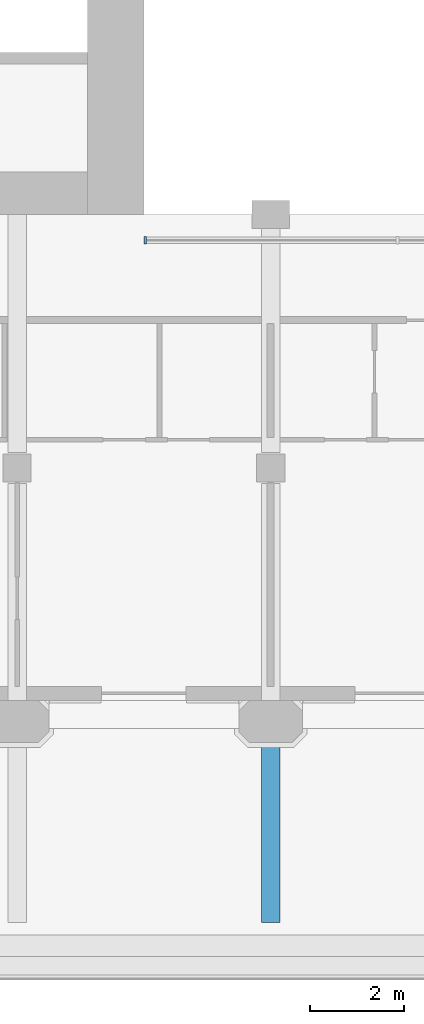
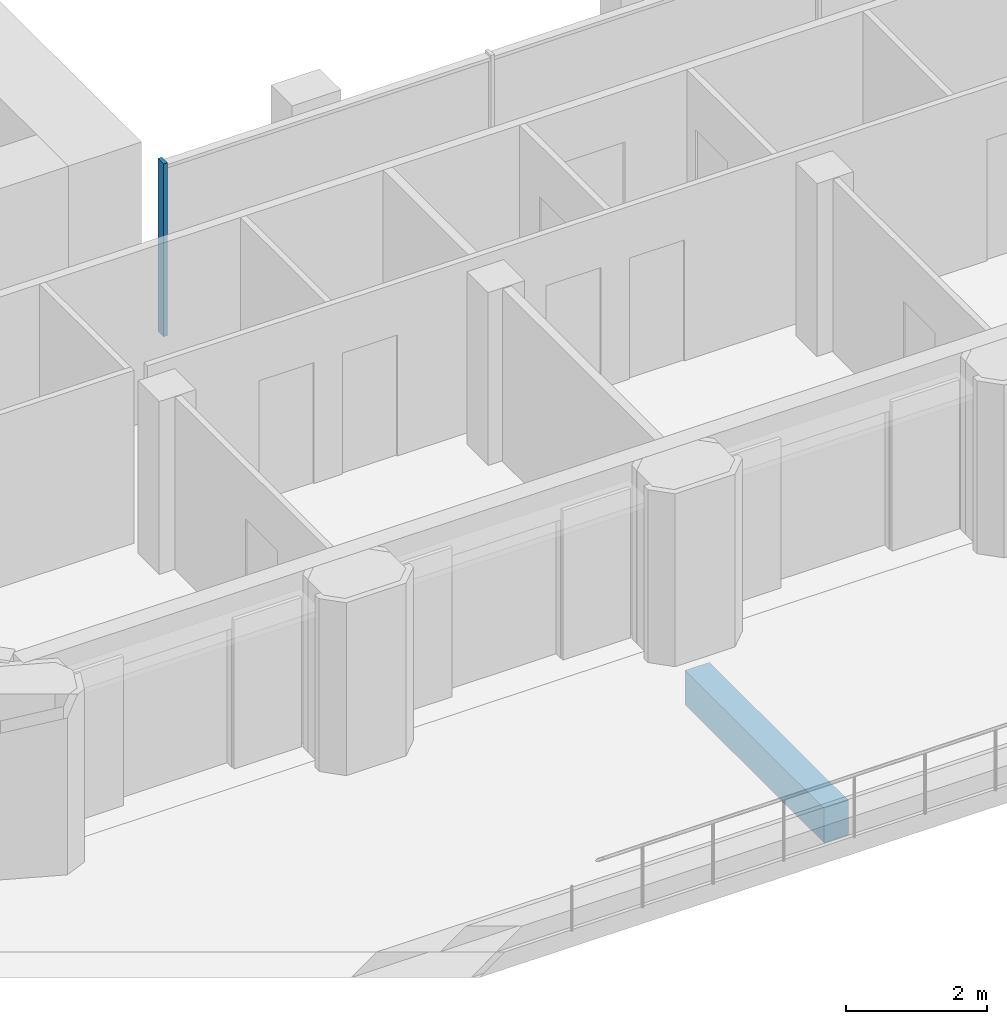
# One storey, part 2 of 17: 1 beam, 1 member, 1 element without a shape of its own.
"""IFC4 building model written with IfcOpenShell, lengths in metres."""

from ifc_helpers import new_model, si_unit, direction, frame, origin, origin_2d, place, context, subcontext, project, spatial, rectangle, extrude, material, material_profile, profile_set, type_object, element, aggregate, save


model = new_model("IFC4")

# Units and contexts
model_context = context("Model", 3, precision=1e-05, world=origin(), true_north=direction((0.0, 1.0)))
body_context = subcontext(model_context, "Body", "Model", "MODEL_VIEW")
ifc_project = project(units=[si_unit("LENGTHUNIT", "METRE"), si_unit("AREAUNIT", "SQUARE_METRE"), si_unit("VOLUMEUNIT", "CUBIC_METRE"), si_unit("PLANEANGLEUNIT", "RADIAN"), si_unit("MASSUNIT", "GRAM", prefix="KILO")], contexts=[model_context])

# Site, building, storey
site_placement = place(None, origin())
site = spatial("IfcSite", under=ifc_project, at=site_placement, CompositionType="ELEMENT")
building_placement = place(site_placement, origin())
building = spatial("IfcBuilding", under=site, at=building_placement, Name="Tabaq Tower and Sports Hall", CompositionType="ELEMENT")
storey_placement = place(building_placement, frame((0.0, 0.0, 288.39990234375)))
storey = spatial("IfcBuildingStorey", under=building, at=storey_placement, Name="L71", CompositionType="ELEMENT", Elevation=288.39990234375)

# Curtain wall, member
ifc_material_1 = material(Name="Aluminium alloy 6063-T6 framed glazing", Category="aluminium")
curtain_wall_type = type_object("IfcCurtainWallType", Name="CW1 curtain wall", PredefinedType="USERDEFINED", material=ifc_material_1)
curtain_wall_placement = place(storey_placement, origin())
curtain_wall = element("IfcCurtainWall", 1, at=curtain_wall_placement, inside=storey, type_object=curtain_wall_type, Name="Atrium glazing L71 S", ObjectType="ATRIUM ENCLOSURE", PredefinedType="USERDEFINED")
ifc_material_2 = material(Name="Aluminium alloy 6063-T6", Category="aluminium")
ifc_material_profile_1 = material_profile(ifc_material_2, rectangle(XDim=0.159912109375, YDim=0.06005859375, at=origin_2d()), Name="MULLION 160x60")
ifc_profile_set_1 = profile_set([ifc_material_profile_1], Name="Aluminium alloy 6063-T6")
member_type = type_object("IfcMemberType", Name="CW1 mullion 160x60", PredefinedType="MULLION", material=ifc_profile_set_1)
member_placement = place(storey_placement, frame((18.929931640625, 15.64990234375, 0.0), z_axis=(0.0, 0.0, 1.0), x_axis=(0.0, 1.0, 0.0)))
member = element("IfcMember", 2, at=member_placement, type_object=member_type, Name="CW1 mullion 1", PredefinedType="MULLION", context=body_context, shape_type="SweptSolid", body=[
    extrude(rectangle(XDim=0.159912109375, YDim=0.06005859375, at=origin_2d()), origin(), (0.0, 0.0, 1.0), 3.0),
])
aggregate(curtain_wall, [member])

# Beam
ifc_material_3 = material(Name="Concrete C40/50", Category="concrete")
ifc_material_profile_2 = material_profile(ifc_material_3, rectangle(XDim=0.39990234375, YDim=0.60009765625, at=origin_2d()), Name="CB 400x600")
ifc_profile_set_2 = profile_set([ifc_material_profile_2], Name="Concrete C40/50")
beam_type = type_object("IfcBeamType", Name="PT CANTILEVER BEAM CB 400x600 C40/50", PredefinedType="BEAM", material=ifc_profile_set_2)
beam_placement = place(storey_placement, frame((21.60009765625, 1.125, -0.599853515625), z_axis=(0.0, 1.0, 0.0), x_axis=(-1.0, 0.0, 0.0)))
element("IfcBeam", 3, at=beam_placement, inside=storey, type_object=beam_type, Name="Cantilever Beam L71 S4 span 1", PredefinedType="BEAM", context=body_context, shape_type="SweptSolid", body=[
    extrude(rectangle(XDim=0.39990234375, YDim=0.60009765625, at=origin_2d()), origin(), (0.0, 0.0, 1.0), 3.949951171875),
])

save(model, "model.ifc")
